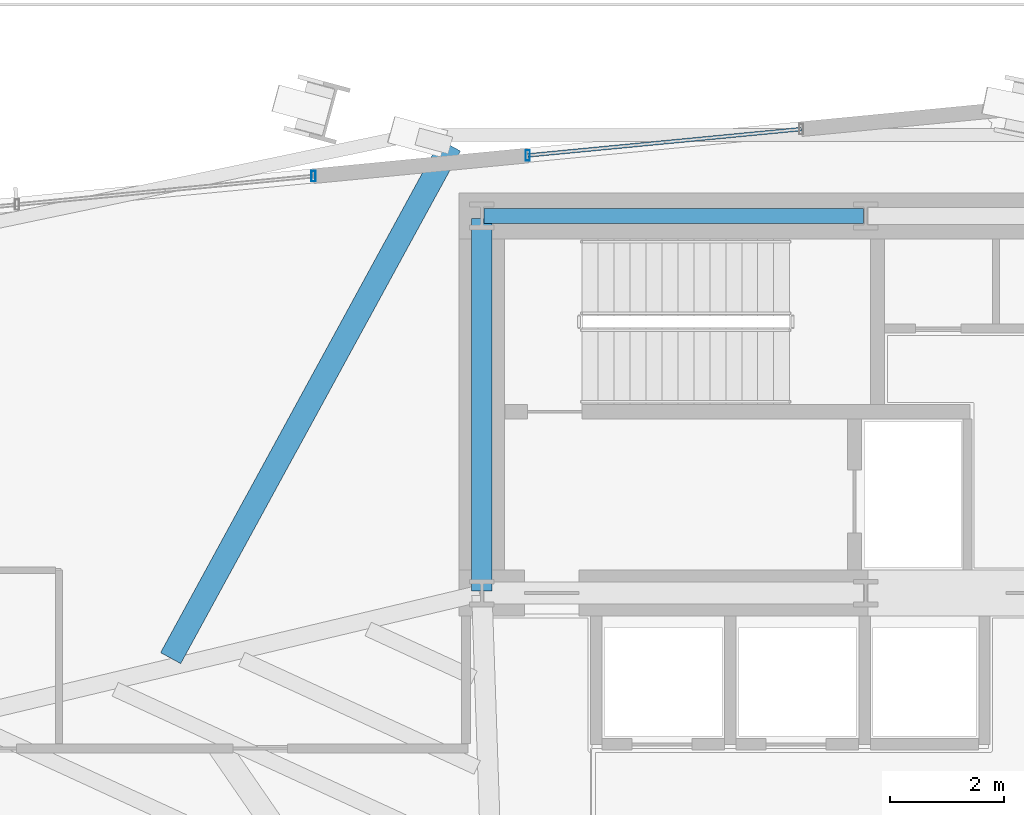
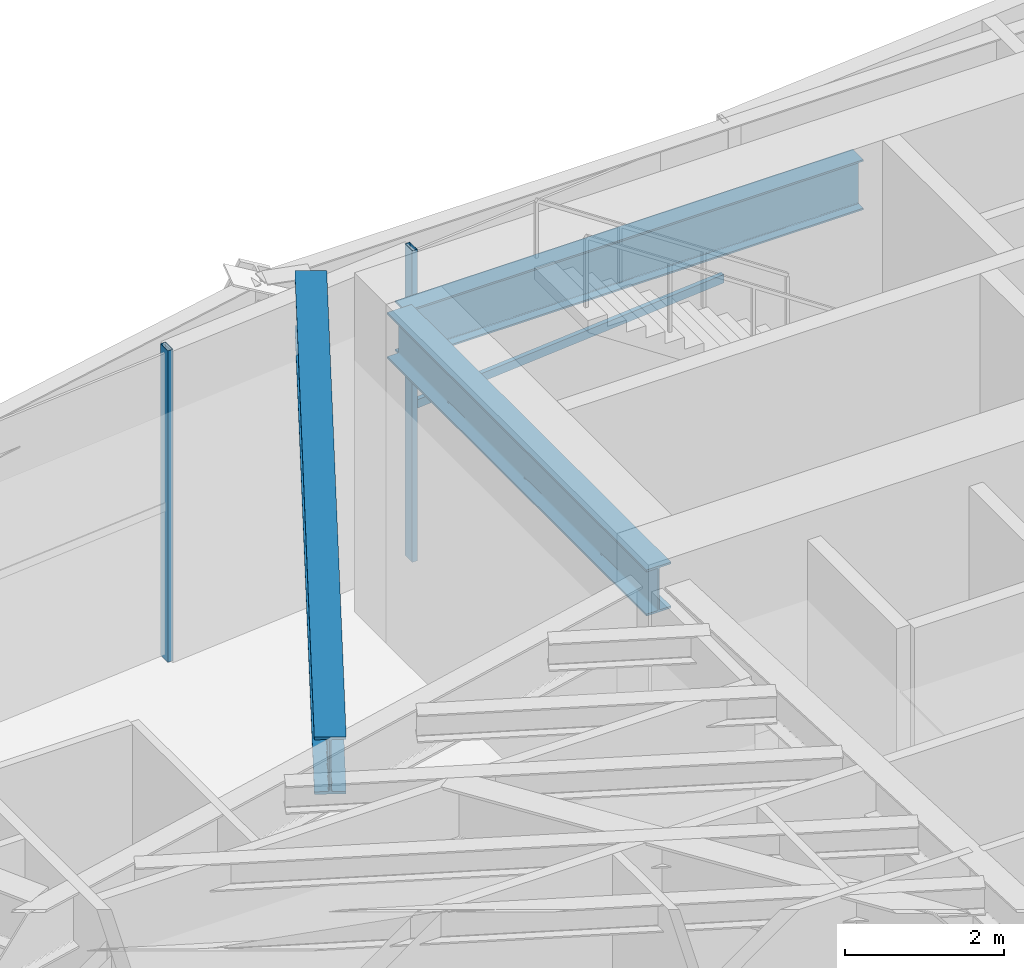
# One storey, part 7 of 28: 3 beams, 3 members, 2 elements without a shape of their own.
"""IFC4 building model written with IfcOpenShell, lengths in metres."""

from ifc_helpers import new_model, si_unit, direction, frame, origin, origin_2d, place, context, subcontext, project, spatial, hollow_rectangle, i_section, extrude, source, transform, mapped, material, material_profile, profile_set, type_object, type_shapes, element, aggregate, save


model = new_model("IFC4")

# Units and contexts
model_context = context("Model", 3, precision=1e-05, world=origin(), true_north=direction((0.0, 1.0)))
body_context = subcontext(model_context, "Body", "Model", "MODEL_VIEW")
ifc_project = project(units=[si_unit("LENGTHUNIT", "METRE"), si_unit("AREAUNIT", "SQUARE_METRE"), si_unit("VOLUMEUNIT", "CUBIC_METRE"), si_unit("PLANEANGLEUNIT", "RADIAN"), si_unit("MASSUNIT", "GRAM", prefix="KILO")], contexts=[model_context])

# Site, building, storey
site_placement = place(None, origin())
site = spatial("IfcSite", under=ifc_project, at=site_placement, CompositionType="ELEMENT")
building_placement = place(site_placement, origin())
building = spatial("IfcBuilding", under=site, at=building_placement, Name="Astriad Promenade Condominiums", CompositionType="ELEMENT")
storey_placement = place(building_placement, frame((0.0, 0.0, 72.60009765625)))
storey = spatial("IfcBuildingStorey", under=building, at=storey_placement, Name="L20", CompositionType="ELEMENT", Elevation=72.60009765625)

# Beams
ifc_material_1 = material(Name="Steel ASTM A992 Grade 50", Category="steel")
ifc_material_profile_1 = material_profile(ifc_material_1, i_section(OverallWidth=0.267822265625, OverallDepth=0.76953125, WebThickness=0.015625, FlangeThickness=0.025390625, FilletRadius=0.021484375, at=origin_2d()), Name="W30X132")
ifc_profile_set_1 = profile_set([ifc_material_profile_1], Name="Steel ASTM A992 Grade 50")
beam_type_1 = type_object("IfcBeamType", Name="STEEL FLOOR GIRDER W30X132", PredefinedType="BEAM", material=ifc_profile_set_1)
shared_shape_1 = source(origin(), body_context, "Body", "SweptSolid", [
    extrude(i_section(OverallWidth=0.267822265625, OverallDepth=0.76953125, WebThickness=0.015625, FlangeThickness=0.025390625, FilletRadius=0.021484375, at=origin_2d()), origin(), (0.0, 0.0, 1.0), 6.64013671875),
])
type_shapes(beam_type_1, [shared_shape_1])
beam_1_placement = place(storey_placement, frame((26.43994140625, 24.0, 4.39501953125), z_axis=(1.0, 0.0, 0.0), x_axis=(0.0, 1.0, 0.0)))
element("IfcBeam", 1, at=beam_1_placement, inside=storey, type_object=beam_type_1, Name="Core Ring Beam CG-N1-L20", PredefinedType="BEAM", context=body_context, shape_type="MappedRepresentation", body=[
    mapped(shared_shape_1, transform((0.0, 0.0, 0.0), scale=1.0)),
])
ifc_material_profile_2 = material_profile(ifc_material_1, i_section(OverallWidth=0.35791015625, OverallDepth=0.706298828125, WebThickness=0.018310546875, FlangeThickness=0.0302734375, FilletRadius=0.020263671875, at=origin_2d()), Name="W27X178")
ifc_profile_set_2 = profile_set([ifc_material_profile_2], Name="Steel ASTM A992 Grade 50")
beam_type_2 = type_object("IfcBeamType", Name="STEEL FLOOR GIRDER W27X178", PredefinedType="BEAM", material=ifc_profile_set_2)
shared_shape_2 = source(origin(), body_context, "Body", "SweptSolid", [
    extrude(i_section(OverallWidth=0.35791015625, OverallDepth=0.706298828125, WebThickness=0.018310546875, FlangeThickness=0.0302734375, FilletRadius=0.020263671875, at=origin_2d()), origin(), (0.0, 0.0, 1.0), 6.52001953125),
])
type_shapes(beam_type_2, [shared_shape_2])
beam_2_placement = place(storey_placement, frame((26.39990234375, 17.43994140625, 4.4267578125), z_axis=(0.0, 1.0, 0.0), x_axis=(-1.0, 0.0, 0.0)))
element("IfcBeam", 2, at=beam_2_placement, inside=storey, type_object=beam_type_2, Name="Core Ring Beam CG-W1-L20", PredefinedType="BEAM", context=body_context, shape_type="MappedRepresentation", body=[
    mapped(shared_shape_2, transform((0.0, 0.0, 0.0), scale=1.0)),
])
ifc_material_profile_3 = material_profile(ifc_material_1, i_section(OverallWidth=0.4013671875, OverallDepth=0.877197265625, WebThickness=0.022216796875, FlangeThickness=0.039794921875, FilletRadius=0.02294921875, at=origin_2d()), Name="W33X263")
ifc_profile_set_3 = profile_set([ifc_material_profile_3], Name="Steel ASTM A992 Grade 50")
beam_type_3 = type_object("IfcBeamType", Name="STEEL TRANSFER CARRIER GIRDER W33X263", PredefinedType="BEAM", material=ifc_profile_set_3)
shared_shape_3 = source(origin(), body_context, "Body", "SweptSolid", [
    extrude(i_section(OverallWidth=0.4013671875, OverallDepth=0.877197265625, WebThickness=0.022216796875, FlangeThickness=0.039794921875, FilletRadius=0.02294921875, at=origin_2d()), origin(), (0.0, 0.0, 1.0), 10.224365234375),
])
type_shapes(beam_type_3, [shared_shape_3])
beam_3_placement = place(storey_placement, frame((20.95166015625, 16.260498046875, 4.34130859375), z_axis=(0.479093024329, 0.877764133489, 0.0), x_axis=(-0.877764133489, 0.479093024329, 0.0)))
element("IfcBeam", 3, at=beam_3_placement, inside=storey, type_object=beam_type_3, Name="Transfer Splice Carrier TRM-SP-PC07-L20", PredefinedType="BEAM", context=body_context, shape_type="MappedRepresentation", body=[
    mapped(shared_shape_3, transform((0.0, 0.0, 0.0), scale=1.0)),
])

# Curtain wall, member
ifc_material_2 = material(Name="Anodised aluminium Black Dark Glass Unitised", Category="aluminium")
curtain_wall_type = type_object("IfcCurtainWallType", Name="CW-B2-DARK", PredefinedType="USERDEFINED", material=ifc_material_2)
curtain_wall_1_placement = place(storey_placement, origin())
curtain_wall_1 = element("IfcCurtainWall", 4, at=curtain_wall_1_placement, inside=storey, type_object=curtain_wall_type, Name="CW-L20-N-1", ObjectType="UNITISED_CURTAIN_WALL", PredefinedType="USERDEFINED")
ifc_material_3 = material(Name="Anodised aluminium 6063-T6 Black", Category="aluminium")
ifc_material_profile_4 = material_profile(ifc_material_3, hollow_rectangle(XDim=0.074951171875, YDim=0.18505859375, WallThickness=0.00439453125, at=origin_2d()), Name="ALU-MUL-75X185")
ifc_profile_set_4 = profile_set([ifc_material_profile_4], Name="Anodised aluminium 6063-T6 Black")
member_type_1 = type_object("IfcMemberType", Name="MUL-ALU-MUL-75X185", PredefinedType="MULLION", material=ifc_profile_set_4)
shared_shape_4 = source(origin(), body_context, "Body", "SweptSolid", [
    extrude(hollow_rectangle(XDim=0.074951171875, YDim=0.18505859375, WallThickness=0.00439453125, at=origin_2d()), origin(), (0.0, 0.0, 1.0), 4.77978515625),
])
type_shapes(member_type_1, [shared_shape_4])
member_1_placement = place(storey_placement, frame((23.452392578125, 24.699462890625, 0.0), z_axis=(0.0, 0.0, 1.0), x_axis=(1.0, 0.0, 0.0)))
member_1 = element("IfcMember", 5, at=member_1_placement, type_object=member_type_1, Name="CW-L20-N-1-MUL-02", PredefinedType="MULLION", context=body_context, shape_type="MappedRepresentation", body=[
    mapped(shared_shape_4, transform((0.0, 0.0, 0.0), scale=1.0)),
])
aggregate(curtain_wall_1, [member_1])

# Curtain wall, members
curtain_wall_2_placement = place(storey_placement, origin())
curtain_wall_2 = element("IfcCurtainWall", 6, at=curtain_wall_2_placement, inside=storey, type_object=curtain_wall_type, Name="CW-L20-N-2", ObjectType="UNITISED_CURTAIN_WALL", PredefinedType="USERDEFINED")
member_2_placement = place(storey_placement, frame((27.205078125, 25.060791015625, 0.0), z_axis=(0.0, 0.0, 1.0), x_axis=(1.0, 0.0, 0.0)))
member_2 = element("IfcMember", 7, at=member_2_placement, type_object=member_type_1, Name="CW-L20-N-2-MUL-00", PredefinedType="MULLION", context=body_context, shape_type="MappedRepresentation", body=[
    mapped(shared_shape_4, transform((0.0, 0.0, 0.0), scale=1.0)),
])
ifc_material_profile_5 = material_profile(ifc_material_3, hollow_rectangle(XDim=0.06494140625, YDim=0.1298828125, WallThickness=0.00390625, at=origin_2d()), Name="ALU-TRN-65X130")
ifc_profile_set_5 = profile_set([ifc_material_profile_5], Name="Anodised aluminium 6063-T6 Black")
member_type_2 = type_object("IfcMemberType", Name="TRN-ALU-TRN-65X130", PredefinedType="USERDEFINED", material=ifc_profile_set_5)
shared_shape_5 = source(origin(), body_context, "Body", "SweptSolid", [
    extrude(hollow_rectangle(XDim=0.06494140625, YDim=0.1298828125, WallThickness=0.00390625, at=origin_2d()), origin(), (0.0, 0.0, 1.0), 4.81005859375),
])
type_shapes(member_type_2, [shared_shape_5])
member_3_placement = place(storey_placement, frame((27.205078125, 25.060791015625, 2.349853515625), z_axis=(0.995397769728, 0.095829431913, 0.0), x_axis=(-0.095829431913, 0.995397769728, 0.0)))
member_3 = element("IfcMember", 8, at=member_3_placement, type_object=member_type_2, Name="CW-L20-N-2-TRN-00-0", ObjectType="TRANSOM", PredefinedType="USERDEFINED", context=body_context, shape_type="MappedRepresentation", body=[
    mapped(shared_shape_5, transform((0.0, 0.0, 0.0), scale=1.0)),
])
aggregate(curtain_wall_2, [member_2, member_3])

save(model, "model.ifc")
